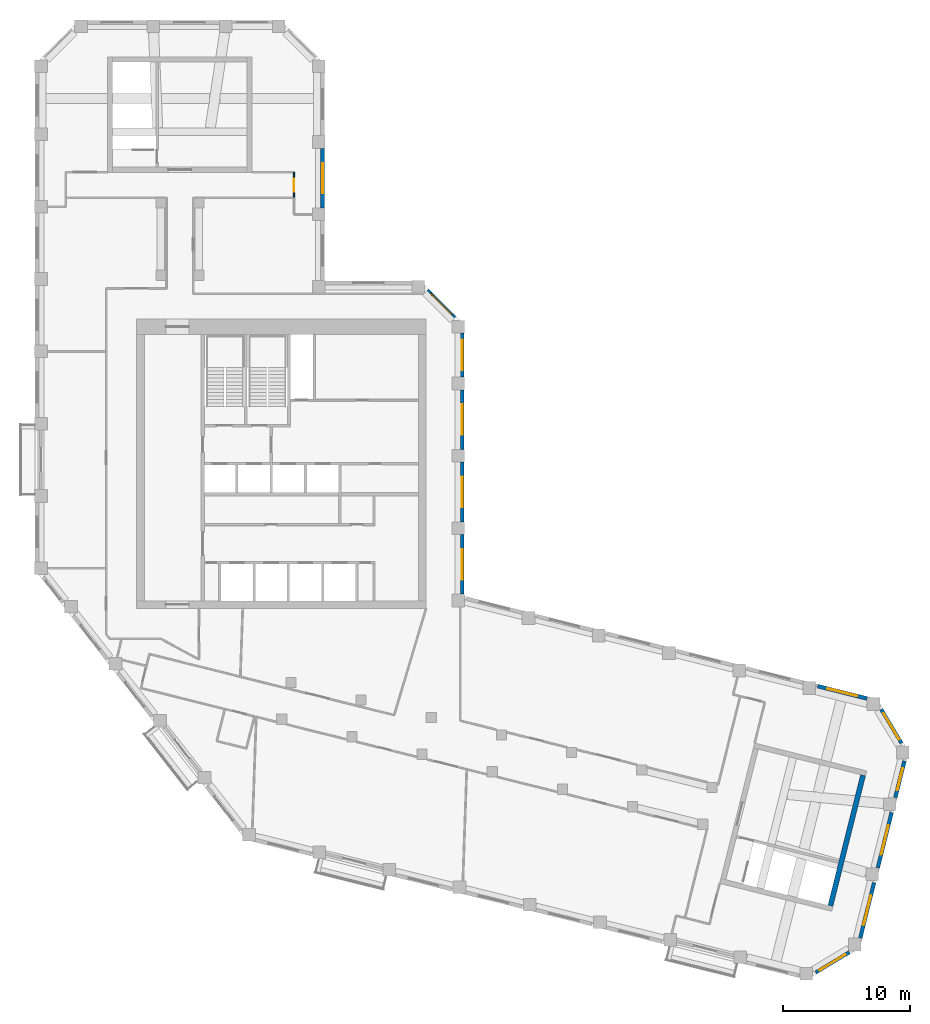
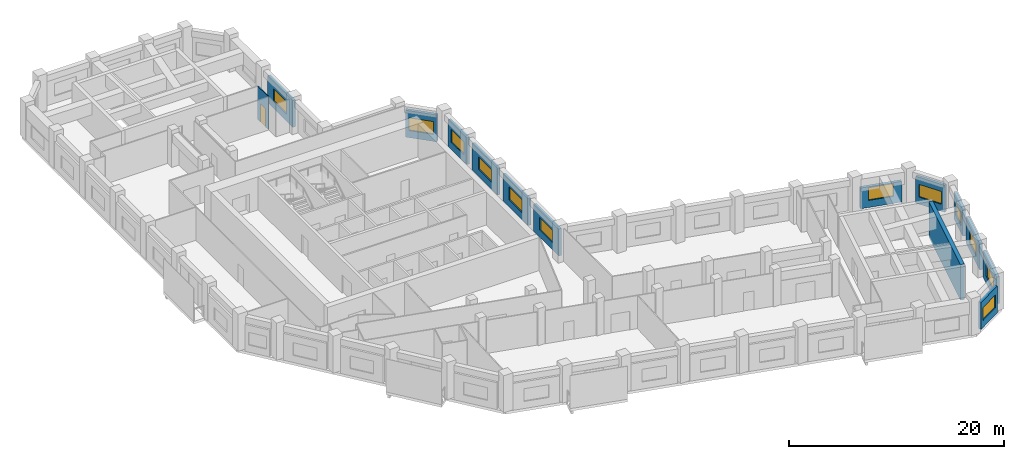
# One storey, part 7 of 9: 14 walls, 12 windows, 1 door, 13 openings.
"""IFC4 building model written with IfcOpenShell, lengths in metres."""

from ifc_helpers import new_model, si_unit, direction, frame, frame_2d, origin, place, context, subcontext, project, spatial, rectangle, extrude, material, layer, layer_set, type_object, element, fill, save


model = new_model("IFC4")

# Units and contexts
model_context = context("Model", 3, precision=1e-05, world=origin(), true_north=direction((0.0, 1.0)))
body_context = subcontext(model_context, "Body", "Model", "MODEL_VIEW")
ifc_project = project(units=[si_unit("LENGTHUNIT", "METRE"), si_unit("AREAUNIT", "SQUARE_METRE"), si_unit("VOLUMEUNIT", "CUBIC_METRE"), si_unit("PLANEANGLEUNIT", "RADIAN"), si_unit("MASSUNIT", "GRAM", prefix="KILO")], contexts=[model_context])

# Site, building, storey
site_placement = place(None, origin())
site = spatial("IfcSite", under=ifc_project, at=site_placement, CompositionType="ELEMENT")
building_placement = place(site_placement, origin())
building = spatial("IfcBuilding", under=site, at=building_placement, Name="Meshkara Civic Tower", CompositionType="ELEMENT")
storey_placement = place(building_placement, frame((0.0, 0.0, 344.39990234375)))
storey = spatial("IfcBuildingStorey", under=building, at=storey_placement, Name="L79", CompositionType="ELEMENT", Elevation=344.39990234375)

# Wall, opening, door
ifc_material_1 = material(Name="Corridor wall 100")
ifc_layer_1 = layer(ifc_material_1, 0.10009765625)
ifc_layer_set_1 = layer_set([ifc_layer_1], Name="Corridor wall 100")
wall_type_1 = type_object("IfcWallType", Name="Corridor wall 100", PredefinedType="PARTITIONING", material=ifc_layer_set_1)
wall_1_placement = place(storey_placement, frame((20.39990234375, 46.469970703125, 0.0), z_axis=(0.0, 0.0, 1.0), x_axis=(0.0, 1.0, 0.0)))
wall_1 = element("IfcWall", 1, at=wall_1_placement, inside=storey, type_object=wall_type_1, Name="L79-W018", PredefinedType="PARTITIONING", context=body_context, shape_type="SweptSolid", body=[
    extrude(rectangle(XDim=2.0, YDim=0.10009765625, at=frame_2d((1.0, 0.0))), origin(), (0.0, 0.0, 1.0), 3.75),
])
opening_1_placement = place(wall_1_placement, frame((0.47998046875, 0.0, 0.0)))
opening_1 = element("IfcOpeningElement", 2, at=opening_1_placement, cuts=wall_1, Name="Opening L79-D017", PredefinedType="OPENING", context=body_context, shape_type="SweptSolid", body=[
    extrude(rectangle(XDim=1.0, YDim=2.10009765625, at=frame_2d((0.5, 1.050048828125))), frame((0.0, 0.06005859375, 0.0), z_axis=(0.0, -1.0, 0.0), x_axis=(1.0, 0.0, 0.0)), (0.0, 0.0, 1.0), 0.1201171875),
])
ifc_material_2 = material(Name="Door 1000 x 2100")
door_type = type_object("IfcDoorType", Name="Door 1000 x 2100", OperationType="SINGLE_SWING_LEFT", PredefinedType="DOOR", material=ifc_material_2)
door_placement = place(opening_1_placement, origin())
door = element("IfcDoor", 3, at=door_placement, inside=storey, type_object=door_type, Name="L79-D017", OperationType="SINGLE_SWING_RIGHT", OverallHeight=2.10009765625, OverallWidth=1.0, PredefinedType="DOOR", context=body_context, shape_type="SweptSolid", body=[
    extrude(rectangle(XDim=1.0, YDim=2.10009765625, at=frame_2d((0.5, 1.050048828125))), frame((0.0, 0.02490234375, 0.0), z_axis=(0.0, -1.0, 0.0), x_axis=(1.0, 0.0, 0.0)), (0.0, 0.0, 1.0), 0.050048828125),
])
fill(opening_1, door)

# Wall, opening, window
ifc_material_3 = material(Name="Insulated infill panel with bronze anodised aluminium cladding", Category="aluminium")
ifc_layer_2 = layer(ifc_material_3, 0.300048828125)
ifc_layer_set_2 = layer_set([ifc_layer_2], Name="EXTERNAL INFILL WALL 300")
wall_type_2 = type_object("IfcWallType", Name="EXTERNAL INFILL WALL 300", PredefinedType="SOLIDWALL", material=ifc_layer_set_2)
wall_2_placement = place(storey_placement, frame((65.548095703125, 7.0, 0.0), z_axis=(0.0, 0.0, 1.0), x_axis=(-0.970260773365, 0.242062040951, 0.0)))
wall_2 = element("IfcWall", 4, at=wall_2_placement, inside=storey, type_object=wall_type_2, Name="External wall", PredefinedType="SOLIDWALL", context=body_context, shape_type="SweptSolid", body=[
    extrude(rectangle(XDim=4.003173828125, YDim=0.300048828125, at=frame_2d((2.00146484375, 0.0))), origin(), (0.0, 0.0, 1.0), 2.35009765625),
])
opening_2_placement = place(wall_2_placement, frame((0.801025390625, 0.0, 0.800048828125)))
opening_2 = element("IfcOpeningElement", 5, at=opening_2_placement, cuts=wall_2, Name="Opening W8", PredefinedType="OPENING", context=body_context, shape_type="SweptSolid", body=[
    extrude(rectangle(XDim=2.39990234375, YDim=1.449951171875, at=frame_2d((1.199951171875, 0.72509765625))), frame((0.0, 0.159912109375, 0.0), z_axis=(0.0, -1.0, 0.0), x_axis=(1.0, 0.0, 0.0)), (0.0, 0.0, 1.0), 0.320068359375),
])
ifc_material_4 = material(Name="Tinted double glazing", Category="glass")
window_type_1 = type_object("IfcWindowType", Name="WINDOW 2400x1450", PartitioningType="DOUBLE_PANEL_VERTICAL", PredefinedType="WINDOW", material=ifc_material_4)
window_1_placement = place(opening_2_placement, origin())
window_1 = element("IfcWindow", 6, at=window_1_placement, inside=storey, type_object=window_type_1, Name="Window", OverallHeight=1.449951171875, OverallWidth=2.39990234375, PartitioningType="DOUBLE_PANEL_VERTICAL", PredefinedType="WINDOW", context=body_context, shape_type="SweptSolid", body=[
    extrude(rectangle(XDim=2.39990234375, YDim=1.449951171875, at=frame_2d((1.199951171875, 0.72509765625))), frame((0.0, 0.030029296875, 0.0), z_axis=(0.0, -1.0, 0.0), x_axis=(1.0, 0.0, 0.0)), (0.0, 0.0, 1.0), 0.06005859375),
])
fill(opening_2, window_1)

wall_3_placement = place(storey_placement, frame((33.64990234375, 15.218994140625, 0.0), z_axis=(0.0, 0.0, 1.0), x_axis=(0.0, 1.0, 0.0)))
wall_3 = element("IfcWall", 7, at=wall_3_placement, inside=storey, type_object=wall_type_2, Name="External wall", PredefinedType="SOLIDWALL", context=body_context, shape_type="SweptSolid", body=[
    extrude(rectangle(XDim=4.699951171875, YDim=0.300048828125, at=frame_2d((2.35009765625, 0.0))), origin(), (0.0, 0.0, 1.0), 3.050048828125),
])
opening_3_placement = place(wall_3_placement, frame((1.14990234375, 0.0, 0.800048828125)))
opening_3 = element("IfcOpeningElement", 8, at=opening_3_placement, cuts=wall_3, Name="Opening W8", PredefinedType="OPENING", context=body_context, shape_type="SweptSolid", body=[
    extrude(rectangle(XDim=2.39990234375, YDim=1.449951171875, at=frame_2d((1.199951171875, 0.72509765625))), frame((0.0, 0.159912109375, 0.0), z_axis=(0.0, -1.0, 0.0), x_axis=(1.0, 0.0, 0.0)), (0.0, 0.0, 1.0), 0.320068359375),
])
window_2_placement = place(opening_3_placement, origin())
window_2 = element("IfcWindow", 9, at=window_2_placement, inside=storey, type_object=window_type_1, Name="Window", OverallHeight=1.449951171875, OverallWidth=2.39990234375, PartitioningType="DOUBLE_PANEL_VERTICAL", PredefinedType="WINDOW", context=body_context, shape_type="SweptSolid", body=[
    extrude(rectangle(XDim=2.39990234375, YDim=1.449951171875, at=frame_2d((1.199951171875, 0.72509765625))), frame((0.0, 0.030029296875, 0.0), z_axis=(0.0, -1.0, 0.0), x_axis=(1.0, 0.0, 0.0)), (0.0, 0.0, 1.0), 0.06005859375),
])
fill(opening_3, window_2)

wall_4_placement = place(storey_placement, frame((33.64990234375, 20.9189453125, 0.0), z_axis=(0.0, 0.0, 1.0), x_axis=(0.0, 1.0, 0.0)))
wall_4 = element("IfcWall", 10, at=wall_4_placement, inside=storey, type_object=wall_type_2, Name="External wall", PredefinedType="SOLIDWALL", context=body_context, shape_type="SweptSolid", body=[
    extrude(rectangle(XDim=4.699951171875, YDim=0.300048828125, at=frame_2d((2.35009765625, 0.0))), origin(), (0.0, 0.0, 1.0), 3.050048828125),
])
opening_4_placement = place(wall_4_placement, frame((1.14990234375, 0.0, 0.800048828125)))
opening_4 = element("IfcOpeningElement", 11, at=opening_4_placement, cuts=wall_4, Name="Opening W8", PredefinedType="OPENING", context=body_context, shape_type="SweptSolid", body=[
    extrude(rectangle(XDim=2.39990234375, YDim=1.449951171875, at=frame_2d((1.199951171875, 0.72509765625))), frame((0.0, 0.159912109375, 0.0), z_axis=(0.0, -1.0, 0.0), x_axis=(1.0, 0.0, 0.0)), (0.0, 0.0, 1.0), 0.320068359375),
])
window_3_placement = place(opening_4_placement, origin())
window_3 = element("IfcWindow", 12, at=window_3_placement, inside=storey, type_object=window_type_1, Name="Window", OverallHeight=1.449951171875, OverallWidth=2.39990234375, PartitioningType="DOUBLE_PANEL_VERTICAL", PredefinedType="WINDOW", context=body_context, shape_type="SweptSolid", body=[
    extrude(rectangle(XDim=2.39990234375, YDim=1.449951171875, at=frame_2d((1.199951171875, 0.72509765625))), frame((0.0, 0.030029296875, 0.0), z_axis=(0.0, -1.0, 0.0), x_axis=(1.0, 0.0, 0.0)), (0.0, 0.0, 1.0), 0.06005859375),
])
fill(opening_4, window_3)

wall_5_placement = place(storey_placement, frame((33.64990234375, 26.618896484375, 0.0), z_axis=(0.0, 0.0, 1.0), x_axis=(0.0, 1.0, 0.0)))
wall_5 = element("IfcWall", 13, at=wall_5_placement, inside=storey, type_object=wall_type_2, Name="External wall", PredefinedType="SOLIDWALL", context=body_context, shape_type="SweptSolid", body=[
    extrude(rectangle(XDim=4.7001953125, YDim=0.300048828125, at=frame_2d((2.35009765625, 0.0))), origin(), (0.0, 0.0, 1.0), 3.050048828125),
])
opening_5_placement = place(wall_5_placement, frame((1.14990234375, 0.0, 0.800048828125)))
opening_5 = element("IfcOpeningElement", 14, at=opening_5_placement, cuts=wall_5, Name="Opening W8", PredefinedType="OPENING", context=body_context, shape_type="SweptSolid", body=[
    extrude(rectangle(XDim=2.39990234375, YDim=1.449951171875, at=frame_2d((1.199951171875, 0.72509765625))), frame((0.0, 0.159912109375, 0.0), z_axis=(0.0, -1.0, 0.0), x_axis=(1.0, 0.0, 0.0)), (0.0, 0.0, 1.0), 0.320068359375),
])
window_4_placement = place(opening_5_placement, origin())
window_4 = element("IfcWindow", 15, at=window_4_placement, inside=storey, type_object=window_type_1, Name="Window", OverallHeight=1.449951171875, OverallWidth=2.39990234375, PartitioningType="DOUBLE_PANEL_VERTICAL", PredefinedType="WINDOW", context=body_context, shape_type="SweptSolid", body=[
    extrude(rectangle(XDim=2.39990234375, YDim=1.449951171875, at=frame_2d((1.199951171875, 0.72509765625))), frame((0.0, 0.030029296875, 0.0), z_axis=(0.0, -1.0, 0.0), x_axis=(1.0, 0.0, 0.0)), (0.0, 0.0, 1.0), 0.06005859375),
])
fill(opening_5, window_4)

wall_6_placement = place(storey_placement, frame((33.64990234375, 32.319091796875, 0.0), z_axis=(0.0, 0.0, 1.0), x_axis=(0.0, 1.0, 0.0)))
wall_6 = element("IfcWall", 16, at=wall_6_placement, inside=storey, type_object=wall_type_2, Name="External wall", PredefinedType="SOLIDWALL", context=body_context, shape_type="SweptSolid", body=[
    extrude(rectangle(XDim=3.474853515625, YDim=0.300048828125, at=frame_2d((1.7373046875, 0.0))), origin(), (0.0, 0.0, 1.0), 3.050048828125),
])
opening_6_placement = place(wall_6_placement, frame((0.5380859375, 0.0, 0.800048828125)))
opening_6 = element("IfcOpeningElement", 17, at=opening_6_placement, cuts=wall_6, Name="Opening W8", PredefinedType="OPENING", context=body_context, shape_type="SweptSolid", body=[
    extrude(rectangle(XDim=2.39990234375, YDim=1.449951171875, at=frame_2d((1.199951171875, 0.72509765625))), frame((0.0, 0.159912109375, 0.0), z_axis=(0.0, -1.0, 0.0), x_axis=(1.0, 0.0, 0.0)), (0.0, 0.0, 1.0), 0.320068359375),
])
window_5_placement = place(opening_6_placement, origin())
window_5 = element("IfcWindow", 18, at=window_5_placement, inside=storey, type_object=window_type_1, Name="Window", OverallHeight=1.449951171875, OverallWidth=2.39990234375, PartitioningType="DOUBLE_PANEL_VERTICAL", PredefinedType="WINDOW", context=body_context, shape_type="SweptSolid", body=[
    extrude(rectangle(XDim=2.39990234375, YDim=1.449951171875, at=frame_2d((1.199951171875, 0.72509765625))), frame((0.0, 0.030029296875, 0.0), z_axis=(0.0, -1.0, 0.0), x_axis=(1.0, 0.0, 0.0)), (0.0, 0.0, 1.0), 0.06005859375),
])
fill(opening_6, window_5)

wall_7_placement = place(storey_placement, frame((33.06201171875, 37.006103515625, 0.0), z_axis=(0.0, 0.0, 1.0), x_axis=(-0.707106781187, 0.707106781187, 0.0)))
wall_7 = element("IfcWall", 19, at=wall_7_placement, inside=storey, type_object=wall_type_2, Name="External wall", PredefinedType="SOLIDWALL", context=body_context, shape_type="SweptSolid", body=[
    extrude(rectangle(XDim=3.049072265625, YDim=0.300048828125, at=frame_2d((1.5244140625, 0.0))), origin(), (0.0, 0.0, 1.0), 3.050048828125),
])
opening_7_placement = place(wall_7_placement, frame((0.324951171875, 0.0, 0.800048828125)))
opening_7 = element("IfcOpeningElement", 20, at=opening_7_placement, cuts=wall_7, Name="Opening W8", PredefinedType="OPENING", context=body_context, shape_type="SweptSolid", body=[
    extrude(rectangle(XDim=2.39990234375, YDim=1.449951171875, at=frame_2d((1.199951171875, 0.72509765625))), frame((0.0, 0.159912109375, 0.0), z_axis=(0.0, -1.0, 0.0), x_axis=(1.0, 0.0, 0.0)), (0.0, 0.0, 1.0), 0.320068359375),
])
window_6_placement = place(opening_7_placement, origin())
window_6 = element("IfcWindow", 21, at=window_6_placement, inside=storey, type_object=window_type_1, Name="Window", OverallHeight=1.449951171875, OverallWidth=2.39990234375, PartitioningType="DOUBLE_PANEL_VERTICAL", PredefinedType="WINDOW", context=body_context, shape_type="SweptSolid", body=[
    extrude(rectangle(XDim=2.39990234375, YDim=1.449951171875, at=frame_2d((1.199951171875, 0.72509765625))), frame((0.0, 0.030029296875, 0.0), z_axis=(0.0, -1.0, 0.0), x_axis=(1.0, 0.0, 0.0)), (0.0, 0.0, 1.0), 0.06005859375),
])
fill(opening_7, window_6)

wall_8_placement = place(storey_placement, frame((22.64990234375, 45.64990234375, 0.0), z_axis=(0.0, 0.0, 1.0), x_axis=(0.0, 1.0, 0.0)))
wall_8 = element("IfcWall", 22, at=wall_8_placement, inside=storey, type_object=wall_type_2, Name="External wall", PredefinedType="SOLIDWALL", context=body_context, shape_type="SweptSolid", body=[
    extrude(rectangle(XDim=4.7001953125, YDim=0.300048828125, at=frame_2d((2.35009765625, 0.0))), origin(), (0.0, 0.0, 1.0), 3.050048828125),
])
opening_8_placement = place(wall_8_placement, frame((1.14990234375, 0.0, 0.800048828125)))
opening_8 = element("IfcOpeningElement", 23, at=opening_8_placement, cuts=wall_8, Name="Opening W8", PredefinedType="OPENING", context=body_context, shape_type="SweptSolid", body=[
    extrude(rectangle(XDim=2.39990234375, YDim=1.449951171875, at=frame_2d((1.199951171875, 0.72509765625))), frame((0.0, 0.159912109375, 0.0), z_axis=(0.0, -1.0, 0.0), x_axis=(1.0, 0.0, 0.0)), (0.0, 0.0, 1.0), 0.320068359375),
])
window_7_placement = place(opening_8_placement, origin())
window_7 = element("IfcWindow", 24, at=window_7_placement, inside=storey, type_object=window_type_1, Name="Window", OverallHeight=1.449951171875, OverallWidth=2.39990234375, PartitioningType="DOUBLE_PANEL_VERTICAL", PredefinedType="WINDOW", context=body_context, shape_type="SweptSolid", body=[
    extrude(rectangle(XDim=2.39990234375, YDim=1.449951171875, at=frame_2d((1.199951171875, 0.72509765625))), frame((0.0, 0.030029296875, 0.0), z_axis=(0.0, -1.0, 0.0), x_axis=(1.0, 0.0, 0.0)), (0.0, 0.0, 1.0), 0.06005859375),
])
fill(opening_8, window_7)

wall_9_placement = place(storey_placement, frame((61.509033203125, -14.591064453125, 0.0), z_axis=(0.0, 0.0, 1.0), x_axis=(0.856969799001, 0.515366630275, 0.0)))
wall_9 = element("IfcWall", 25, at=wall_9_placement, inside=storey, type_object=wall_type_2, Name="External wall", PredefinedType="SOLIDWALL", context=body_context, shape_type="SweptSolid", body=[
    extrude(rectangle(XDim=3.091064453125, YDim=0.300048828125, at=frame_2d((1.54541015625, 0.0))), origin(), (0.0, 0.0, 1.0), 3.050048828125),
])
opening_9_placement = place(wall_9_placement, frame((0.344970703125, 0.0, 0.800048828125)))
opening_9 = element("IfcOpeningElement", 26, at=opening_9_placement, cuts=wall_9, Name="Opening W8", PredefinedType="OPENING", context=body_context, shape_type="SweptSolid", body=[
    extrude(rectangle(XDim=2.39990234375, YDim=1.449951171875, at=frame_2d((1.199951171875, 0.72509765625))), frame((0.0, 0.159912109375, 0.0), z_axis=(0.0, -1.0, 0.0), x_axis=(1.0, 0.0, 0.0)), (0.0, 0.0, 1.0), 0.320068359375),
])
window_8_placement = place(opening_9_placement, origin())
window_8 = element("IfcWindow", 27, at=window_8_placement, inside=storey, type_object=window_type_1, Name="Window", OverallHeight=1.449951171875, OverallWidth=2.39990234375, PartitioningType="DOUBLE_PANEL_VERTICAL", PredefinedType="WINDOW", context=body_context, shape_type="SweptSolid", body=[
    extrude(rectangle(XDim=2.39990234375, YDim=1.449951171875, at=frame_2d((1.199951171875, 0.72509765625))), frame((0.0, 0.030029296875, 0.0), z_axis=(0.0, -1.0, 0.0), x_axis=(1.0, 0.0, 0.0)), (0.0, 0.0, 1.0), 0.06005859375),
])
fill(opening_9, window_8)

wall_10_placement = place(storey_placement, frame((65.029052734375, -11.8720703125, 0.0), z_axis=(0.0, 0.0, 1.0), x_axis=(0.241946839653, 0.970289506684, 0.0)))
wall_10 = element("IfcWall", 28, at=wall_10_placement, inside=storey, type_object=wall_type_2, Name="External wall", PredefinedType="SOLIDWALL", context=body_context, shape_type="SweptSolid", body=[
    extrude(rectangle(XDim=4.48828125, YDim=0.300048828125, at=frame_2d((2.244140625, 0.0))), origin(), (0.0, 0.0, 1.0), 3.050048828125),
])
opening_10_placement = place(wall_10_placement, frame((1.0439453125, 0.0, 0.800048828125)))
opening_10 = element("IfcOpeningElement", 29, at=opening_10_placement, cuts=wall_10, Name="Opening W8", PredefinedType="OPENING", context=body_context, shape_type="SweptSolid", body=[
    extrude(rectangle(XDim=2.39990234375, YDim=1.449951171875, at=frame_2d((1.199951171875, 0.72509765625))), frame((0.0, 0.159912109375, 0.0), z_axis=(0.0, -1.0, 0.0), x_axis=(1.0, 0.0, 0.0)), (0.0, 0.0, 1.0), 0.320068359375),
])
window_9_placement = place(opening_10_placement, origin())
window_9 = element("IfcWindow", 30, at=window_9_placement, inside=storey, type_object=window_type_1, Name="Window", OverallHeight=1.449951171875, OverallWidth=2.39990234375, PartitioningType="DOUBLE_PANEL_VERTICAL", PredefinedType="WINDOW", context=body_context, shape_type="SweptSolid", body=[
    extrude(rectangle(XDim=2.39990234375, YDim=1.449951171875, at=frame_2d((1.199951171875, 0.72509765625))), frame((0.0, 0.030029296875, 0.0), z_axis=(0.0, -1.0, 0.0), x_axis=(1.0, 0.0, 0.0)), (0.0, 0.0, 1.0), 0.06005859375),
])
fill(opening_10, window_9)

wall_11_placement = place(storey_placement, frame((66.407958984375, -6.341064453125, 0.0), z_axis=(0.0, 0.0, 1.0), x_axis=(0.241997928406, 0.970276766004, 0.0)))
wall_11 = element("IfcWall", 31, at=wall_11_placement, inside=storey, type_object=wall_type_2, Name="External wall", PredefinedType="SOLIDWALL", context=body_context, shape_type="SweptSolid", body=[
    extrude(rectangle(XDim=4.4873046875, YDim=0.300048828125, at=frame_2d((2.24365234375, 0.0))), origin(), (0.0, 0.0, 1.0), 3.050048828125),
])
opening_11_placement = place(wall_11_placement, frame((1.0439453125, 0.0, 0.800048828125)))
opening_11 = element("IfcOpeningElement", 32, at=opening_11_placement, cuts=wall_11, Name="Opening W8", PredefinedType="OPENING", context=body_context, shape_type="SweptSolid", body=[
    extrude(rectangle(XDim=2.39990234375, YDim=1.449951171875, at=frame_2d((1.199951171875, 0.72509765625))), frame((0.0, 0.159912109375, 0.0), z_axis=(0.0, -1.0, 0.0), x_axis=(1.0, 0.0, 0.0)), (0.0, 0.0, 1.0), 0.320068359375),
])
window_10_placement = place(opening_11_placement, origin())
window_10 = element("IfcWindow", 33, at=window_10_placement, inside=storey, type_object=window_type_1, Name="Window", OverallHeight=1.449951171875, OverallWidth=2.39990234375, PartitioningType="DOUBLE_PANEL_VERTICAL", PredefinedType="WINDOW", context=body_context, shape_type="SweptSolid", body=[
    extrude(rectangle(XDim=2.39990234375, YDim=1.449951171875, at=frame_2d((1.199951171875, 0.72509765625))), frame((0.0, 0.030029296875, 0.0), z_axis=(0.0, -1.0, 0.0), x_axis=(1.0, 0.0, 0.0)), (0.0, 0.0, 1.0), 0.06005859375),
])
fill(opening_11, window_10)

wall_12_placement = place(storey_placement, frame((67.787109375, -0.81103515625, 0.0), z_axis=(0.0, 0.0, 1.0), x_axis=(0.242052773757, 0.970263085311, 0.0)))
wall_12 = element("IfcWall", 34, at=wall_12_placement, inside=storey, type_object=wall_type_2, Name="External wall", PredefinedType="SOLIDWALL", context=body_context, shape_type="SweptSolid", body=[
    extrude(rectangle(XDim=2.974365234375, YDim=0.300048828125, at=frame_2d((1.4873046875, 0.0))), origin(), (0.0, 0.0, 1.0), 3.050048828125),
])
opening_12_placement = place(wall_12_placement, frame((0.5869140625, 0.0, 0.800048828125)))
opening_12 = element("IfcOpeningElement", 35, at=opening_12_placement, cuts=wall_12, Name="Opening W10", PredefinedType="OPENING", context=body_context, shape_type="SweptSolid", body=[
    extrude(rectangle(XDim=1.800048828125, YDim=1.449951171875, at=frame_2d((0.89990234375, 0.72509765625))), frame((0.0, 0.159912109375, 0.0), z_axis=(0.0, -1.0, 0.0), x_axis=(1.0, 0.0, 0.0)), (0.0, 0.0, 1.0), 0.320068359375),
])
ifc_material_5 = material(Name="Tinted double glazing", Category="glass")
window_type_2 = type_object("IfcWindowType", Name="WINDOW 1800x1450", PartitioningType="DOUBLE_PANEL_VERTICAL", PredefinedType="WINDOW", material=ifc_material_5)
window_11_placement = place(opening_12_placement, origin())
window_11 = element("IfcWindow", 36, at=window_11_placement, inside=storey, type_object=window_type_2, Name="Window", OverallHeight=1.449951171875, OverallWidth=1.800048828125, PartitioningType="DOUBLE_PANEL_VERTICAL", PredefinedType="WINDOW", context=body_context, shape_type="SweptSolid", body=[
    extrude(rectangle(XDim=1.800048828125, YDim=1.449951171875, at=frame_2d((0.89990234375, 0.72509765625))), frame((0.0, 0.030029296875, 0.0), z_axis=(0.0, -1.0, 0.0), x_axis=(1.0, 0.0, 0.0)), (0.0, 0.0, 1.0), 0.06005859375),
])
fill(opening_12, window_11)

wall_13_placement = place(storey_placement, frame((68.26611328125, 3.47900390625, 0.0), z_axis=(0.0, 0.0, 1.0), x_axis=(-0.514995068029, 0.857193140375, 0.0)))
wall_13 = element("IfcWall", 37, at=wall_13_placement, inside=storey, type_object=wall_type_2, Name="External wall", PredefinedType="SOLIDWALL", context=body_context, shape_type="SweptSolid", body=[
    extrude(rectangle(XDim=3.09130859375, YDim=0.300048828125, at=frame_2d((1.545654296875, 0.0))), origin(), (0.0, 0.0, 1.0), 3.050048828125),
])
opening_13_placement = place(wall_13_placement, frame((0.345947265625, 0.0, 0.800048828125)))
opening_13 = element("IfcOpeningElement", 38, at=opening_13_placement, cuts=wall_13, Name="Opening W8", PredefinedType="OPENING", context=body_context, shape_type="SweptSolid", body=[
    extrude(rectangle(XDim=2.39990234375, YDim=1.449951171875, at=frame_2d((1.199951171875, 0.72509765625))), frame((0.0, 0.159912109375, 0.0), z_axis=(0.0, -1.0, 0.0), x_axis=(1.0, 0.0, 0.0)), (0.0, 0.0, 1.0), 0.320068359375),
])
window_12_placement = place(opening_13_placement, origin())
window_12 = element("IfcWindow", 39, at=window_12_placement, inside=storey, type_object=window_type_1, Name="Window", OverallHeight=1.449951171875, OverallWidth=2.39990234375, PartitioningType="DOUBLE_PANEL_VERTICAL", PredefinedType="WINDOW", context=body_context, shape_type="SweptSolid", body=[
    extrude(rectangle(XDim=2.39990234375, YDim=1.449951171875, at=frame_2d((1.199951171875, 0.72509765625))), frame((0.0, 0.030029296875, 0.0), z_axis=(0.0, -1.0, 0.0), x_axis=(1.0, 0.0, 0.0)), (0.0, 0.0, 1.0), 0.06005859375),
])
fill(opening_13, window_12)

# Wall
ifc_material_6 = material(Name="Concrete C60", Category="concrete")
ifc_layer_3 = layer(ifc_material_6, 0.39990234375)
ifc_layer_set_3 = layer_set([ifc_layer_3], Name="End core ring wall 400 C60")
wall_type_3 = type_object("IfcWallType", Name="End core ring wall 400 C60", PredefinedType="SHEAR", material=ifc_layer_set_3)
wall_14_placement = place(storey_placement, frame((62.672119140625, -9.339111328125, -0.2998046875), z_axis=(0.0, 0.0, 1.0), x_axis=(0.241971982666, 0.970283236795, 0.0)))
element("IfcWall", 40, at=wall_14_placement, inside=storey, type_object=wall_type_3, Name="L79-C034", PredefinedType="SHEAR", context=body_context, shape_type="SweptSolid", body=[
    extrude(rectangle(XDim=10.60009765625, YDim=0.39990234375, at=frame_2d((5.300048828125, 0.0))), origin(), (0.0, 0.0, 1.0), 4.0498046875),
])

save(model, "model.ifc")
